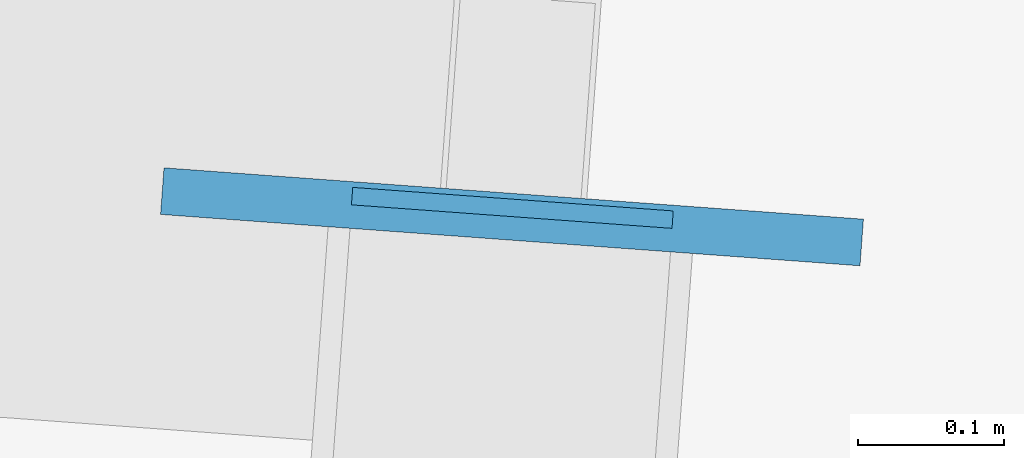
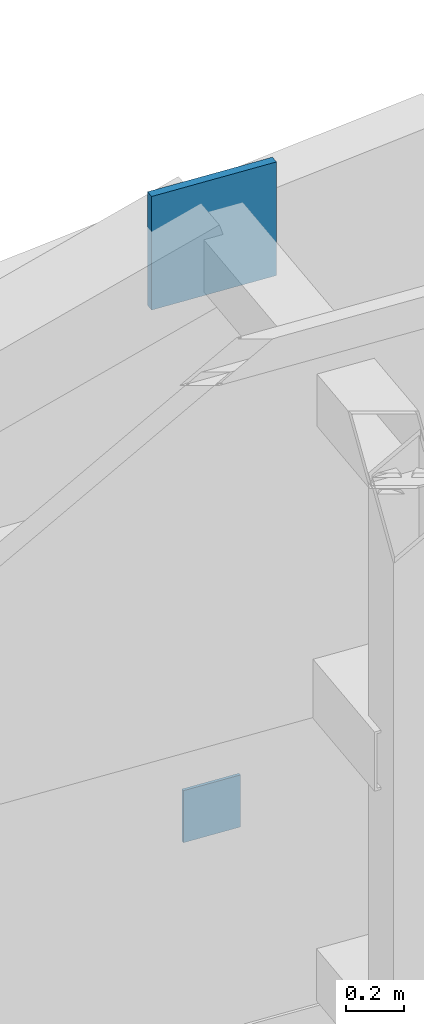
# One storey, part 32 of 37: 2 plates.
"""IFC4 building model written with IfcOpenShell, lengths in metres."""

from ifc_helpers import new_model, si_unit, direction, frame, origin, origin_2d, place, context, subcontext, project, spatial, rectangle, extrude, source, transform, mapped, material, layer, layer_set, type_object, element, save


model = new_model("IFC4")

# Units and contexts
model_context = context("Model", 3, precision=1e-05, world=origin(), true_north=direction((0.0, 1.0)))
body_context = subcontext(model_context, "Body", "Model", "MODEL_VIEW")
ifc_project = project(units=[si_unit("LENGTHUNIT", "METRE"), si_unit("AREAUNIT", "SQUARE_METRE"), si_unit("VOLUMEUNIT", "CUBIC_METRE"), si_unit("PLANEANGLEUNIT", "RADIAN"), si_unit("MASSUNIT", "GRAM", prefix="KILO")], contexts=[model_context])

# Site, building, storey
site_placement = place(None, origin())
site = spatial("IfcSite", under=ifc_project, at=site_placement, CompositionType="ELEMENT")
building_placement = place(site_placement, origin())
building = spatial("IfcBuilding", under=site, at=building_placement, Name="Taldren Reach Tower", CompositionType="ELEMENT")
storey_placement = place(building_placement, frame((0.0, 0.0, 211.39990234375)))
storey = spatial("IfcBuildingStorey", under=building, at=storey_placement, Name="L64", CompositionType="ELEMENT", Elevation=211.39990234375)

# Plates
ifc_material = material(Name="Steel Gr 450 (C450L0)", Category="steel")
ifc_layer_1 = layer(ifc_material, 0.031982421875)
ifc_layer_set_1 = layer_set([ifc_layer_1], Name="Steel Gr 450 (C450L0)")
plate_type_1 = type_object("IfcPlateType", Name="PL-GUSSET-32", PredefinedType="SHEET", material=ifc_layer_set_1)
shared_shape_1 = source(origin(), body_context, "Body", "SweptSolid", [
    extrude(rectangle(XDim=0.47998046875, YDim=0.031982421875, at=origin_2d()), origin(), (0.0, 0.0, 1.0), 0.47998046875),
])
plate_1_placement = place(storey_placement, frame((54.77294921875, 35.485595703125, 2.41015625), z_axis=(0.0, 0.0, 1.0), x_axis=(0.997314477224, -0.073238197128, 0.0)))
element("IfcPlate", 1, at=plate_1_placement, inside=storey, type_object=plate_type_1, Name="Exoskeleton star-node gusset plate B5-N6 L64", PredefinedType="SHEET", context=body_context, shape_type="MappedRepresentation", body=[
    mapped(shared_shape_1, transform((0.0, 0.0, 0.0), scale=1.0)),
])
ifc_layer_2 = layer(ifc_material, 0.011962890625)
ifc_layer_set_2 = layer_set([ifc_layer_2], Name="Steel Gr 450 (C450L0)")
plate_type_2 = type_object("IfcPlateType", Name="PL-CAP-220", PredefinedType="SHEET", material=ifc_layer_set_2)
shared_shape_2 = source(origin(), body_context, "Body", "SweptSolid", [
    extrude(rectangle(XDim=0.219970703125, YDim=0.011962890625, at=origin_2d()), origin(), (0.0, 0.0, 1.0), 0.219970703125),
])
plate_2_placement = place(storey_placement, frame((54.773193359375, 35.49169921875, 0.1103515625), z_axis=(0.0, 0.0, 1.0), x_axis=(0.997314477224, -0.073238197128, 0.0)))
element("IfcPlate", 2, at=plate_2_placement, inside=storey, type_object=plate_type_2, Name="Tie strut end cap plate B5-N6 L64", PredefinedType="SHEET", context=body_context, shape_type="MappedRepresentation", body=[
    mapped(shared_shape_2, transform((0.0, 0.0, 0.0), scale=1.0)),
])

save(model, "model.ifc")
